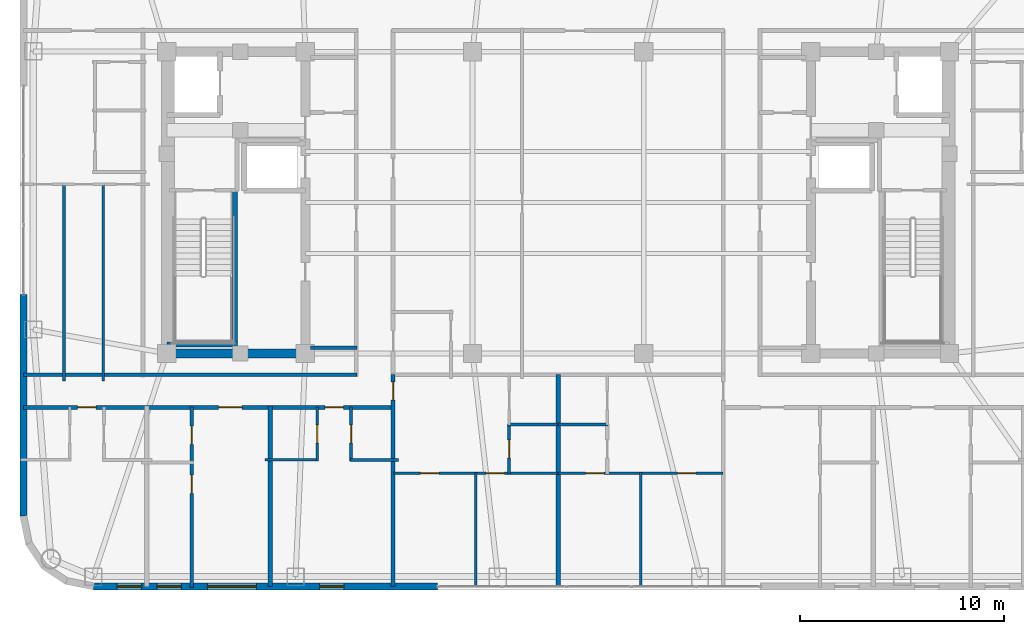
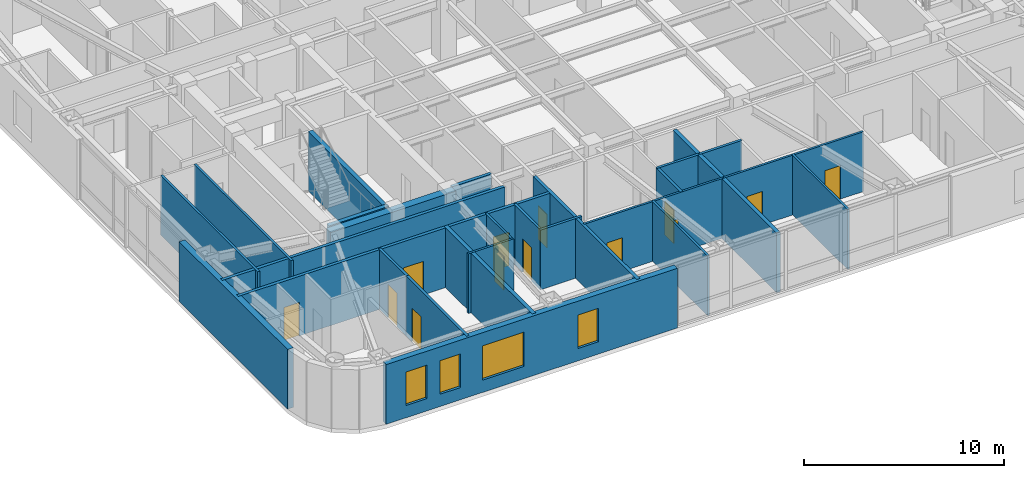
# One storey, part 21 of 29: 26 walls, 13 doors, 4 windows, 17 openings.
"""IFC4 building model written with IfcOpenShell, lengths in metres."""

from ifc_helpers import new_model, si_unit, direction, frame, frame_2d, origin, place, context, subcontext, project, spatial, rectangle, extrude, material, layer, layer_set, type_object, element, fill, save


model = new_model("IFC4")

# Units and contexts
model_context = context("Model", 3, precision=1e-05, world=origin(), true_north=direction((0.0, 1.0)))
body_context = subcontext(model_context, "Body", "Model", "MODEL_VIEW")
ifc_project = project(units=[si_unit("LENGTHUNIT", "METRE"), si_unit("AREAUNIT", "SQUARE_METRE"), si_unit("VOLUMEUNIT", "CUBIC_METRE"), si_unit("PLANEANGLEUNIT", "RADIAN"), si_unit("MASSUNIT", "GRAM", prefix="KILO")], contexts=[model_context])

# Site, building, storey
site_placement = place(None, origin())
site = spatial("IfcSite", under=ifc_project, at=site_placement, CompositionType="ELEMENT")
building_placement = place(site_placement, origin())
building = spatial("IfcBuilding", under=site, at=building_placement, Name="Voryun Gate Residences", CompositionType="ELEMENT")
storey_placement = place(building_placement, frame((0.0, 0.0, 211.89990234375)))
storey = spatial("IfcBuildingStorey", under=building, at=storey_placement, Name="L52", CompositionType="ELEMENT", Elevation=211.89990234375)

# Walls
ifc_material_1 = material(Name="Concrete C50/60", Category="concrete")
ifc_layer_1 = layer(ifc_material_1, 0.449951171875, Name="CW_CORE_450")
ifc_layer_set_1 = layer_set([ifc_layer_1], Name="Concrete C50/60")
wall_type_1 = type_object("IfcWallType", Name="CW_CORE_450", PredefinedType="SHEAR", material=ifc_layer_set_1)
wall_1_placement = place(storey_placement, frame((-19.425048828125, -7.39990234375, 0.0), z_axis=(0.0, 0.0, 1.0), x_axis=(1.0, 0.0, 0.0)))
element("IfcWall", 1, at=wall_1_placement, inside=storey, type_object=wall_type_1, Name="L52 Core shear wall CW-L52-WS", PredefinedType="SHEAR", context=body_context, shape_type="SweptSolid", body=[
    extrude(rectangle(XDim=7.25, YDim=0.449951171875, at=frame_2d((3.625, 0.0))), origin(), (0.0, 0.0, 1.0), 3.650146484375),
])
ifc_material_2 = material(Name="Gypsum acoustic fireboard")
ifc_layer_2 = layer(ifc_material_2, 0.179931640625, Name="W_CORR_RATED_180")
ifc_layer_set_2 = layer_set([ifc_layer_2], Name="Gypsum acoustic fireboard")
wall_type_2 = type_object("IfcWallType", Name="W_CORR_RATED_180", PredefinedType="PARTITIONING", material=ifc_layer_set_2)
wall_2_placement = place(storey_placement, frame((-12.14990234375, -7.1201171875, 0.0), z_axis=(0.0, 0.0, 1.0), x_axis=(1.0, 0.0, 0.0)))
element("IfcWall", 2, at=wall_2_placement, inside=storey, type_object=wall_type_2, Name="Partition wall WP-L52-PLBS-W", PredefinedType="PARTITIONING", context=body_context, shape_type="SweptSolid", body=[
    extrude(rectangle(XDim=2.27001953125, YDim=0.179931640625, at=frame_2d((1.135009765625, 0.0))), origin(), (0.0, 0.0, 1.0), 3.650146484375),
])
wall_3_placement = place(storey_placement, frame((-26.22998046875, -8.43994140625, 0.0), z_axis=(0.0, 0.0, 1.0), x_axis=(1.0, 0.0, 0.0)))
element("IfcWall", 3, at=wall_3_placement, inside=storey, type_object=wall_type_2, Name="Partition wall WP-L52-CWING-WS", PredefinedType="PARTITIONING", context=body_context, shape_type="SweptSolid", body=[
    extrude(rectangle(XDim=16.35009765625, YDim=0.179931640625, at=frame_2d((8.175048828125, 0.0))), origin(), (0.0, 0.0, 1.0), 3.650146484375),
])

# Wall, openings, doors
wall_4_placement = place(storey_placement, frame((-26.22998046875, -10.050048828125, 0.0), z_axis=(0.0, 0.0, 1.0), x_axis=(1.0, 0.0, 0.0)))
wall_4 = element("IfcWall", 4, at=wall_4_placement, inside=storey, type_object=wall_type_2, Name="Partition wall WP-L52-SCORR-W", PredefinedType="PARTITIONING", context=body_context, shape_type="SweptSolid", body=[
    extrude(rectangle(XDim=18.14990234375, YDim=0.179931640625, at=frame_2d((9.074951171875, 0.0))), origin(), (0.0, 0.0, 1.0), 3.650146484375),
])
opening_1_placement = place(wall_4_placement, frame((2.6591796875, 0.0, 0.0)))
opening_1 = element("IfcOpeningElement", 5, at=opening_1_placement, cuts=wall_4, Name="Opening D-INT-2", PredefinedType="OPENING", context=body_context, shape_type="SweptSolid", body=[
    extrude(rectangle(XDim=0.89990234375, YDim=2.050048828125, at=frame_2d((0.449951171875, 1.02490234375))), frame((0.0, 0.099853515625, 0.0), z_axis=(0.0, -1.0, 0.0), x_axis=(1.0, 0.0, 0.0)), (0.0, 0.0, 1.0), 0.199951171875),
])
opening_2_placement = place(wall_4_placement, frame((9.57080078125, 0.0, 0.0)))
opening_2 = element("IfcOpeningElement", 6, at=opening_2_placement, cuts=wall_4, Name="Opening D-UNIT-1", PredefinedType="OPENING", context=body_context, shape_type="SweptSolid", body=[
    extrude(rectangle(XDim=1.14990234375, YDim=2.050048828125, at=frame_2d((0.574951171875, 1.02490234375))), frame((0.0, 0.099853515625, 0.0), z_axis=(0.0, -1.0, 0.0), x_axis=(1.0, 0.0, 0.0)), (0.0, 0.0, 1.0), 0.199951171875),
])
opening_3_placement = place(wall_4_placement, frame((14.79248046875, 0.0, 0.0)))
opening_3 = element("IfcOpeningElement", 7, at=opening_3_placement, cuts=wall_4, Name="Opening D-INT-2", PredefinedType="OPENING", context=body_context, shape_type="SweptSolid", body=[
    extrude(rectangle(XDim=0.89990234375, YDim=2.050048828125, at=frame_2d((0.449951171875, 1.02490234375))), frame((0.0, 0.099853515625, 0.0), z_axis=(0.0, -1.0, 0.0), x_axis=(1.0, 0.0, 0.0)), (0.0, 0.0, 1.0), 0.199951171875),
])
ifc_material_3 = material(Name="Architectural oak veneer")
door_type_1 = type_object("IfcDoorType", Name="DR_INT_BATH_900", OperationType="NOTDEFINED", PredefinedType="DOOR", material=ifc_material_3)
door_1_placement = place(opening_1_placement, origin())
door_1 = element("IfcDoor", 8, at=door_1_placement, inside=storey, type_object=door_type_1, Name="Door DR-L52-SENT-1", OperationType="SINGLE_SWING_RIGHT", OverallHeight=2.050048828125, OverallWidth=0.89990234375, PredefinedType="DOOR", context=body_context, shape_type="SweptSolid", body=[
    extrude(rectangle(XDim=0.89990234375, YDim=2.050048828125, at=frame_2d((0.449951171875, 1.02490234375))), frame((0.0, 0.02490234375, 0.0), z_axis=(0.0, -1.0, 0.0), x_axis=(1.0, 0.0, 0.0)), (0.0, 0.0, 1.0), 0.050048828125),
])
fill(opening_1, door_1)
door_2_placement = place(opening_3_placement, origin())
door_2 = element("IfcDoor", 9, at=door_2_placement, inside=storey, type_object=door_type_1, Name="Door DR-L52-SENT-3", OperationType="SINGLE_SWING_RIGHT", OverallHeight=2.050048828125, OverallWidth=0.89990234375, PredefinedType="DOOR", context=body_context, shape_type="SweptSolid", body=[
    extrude(rectangle(XDim=0.89990234375, YDim=2.050048828125, at=frame_2d((0.449951171875, 1.02490234375))), frame((0.0, 0.02490234375, 0.0), z_axis=(0.0, -1.0, 0.0), x_axis=(1.0, 0.0, 0.0)), (0.0, 0.0, 1.0), 0.050048828125),
])
fill(opening_3, door_2)
ifc_material_4 = material(Name="Armoured timber-clad fire door", Category="wood")
door_type_2 = type_object("IfcDoorType", Name="DR_UNIT_ENTRY_1150", OperationType="NOTDEFINED", PredefinedType="DOOR", material=ifc_material_4)
door_3_placement = place(opening_2_placement, origin())
door_3 = element("IfcDoor", 10, at=door_3_placement, inside=storey, type_object=door_type_2, Name="Door DR-L52-SENT-2", OperationType="SINGLE_SWING_LEFT", OverallHeight=2.050048828125, OverallWidth=1.14990234375, PredefinedType="DOOR", context=body_context, shape_type="SweptSolid", body=[
    extrude(rectangle(XDim=1.14990234375, YDim=2.050048828125, at=frame_2d((0.574951171875, 1.02490234375))), frame((0.0, 0.02490234375, 0.0), z_axis=(0.0, -1.0, 0.0), x_axis=(1.0, 0.0, 0.0)), (0.0, 0.0, 1.0), 0.050048828125),
])
fill(opening_2, door_3)

# Wall, opening, door
wall_5_placement = place(storey_placement, frame((-8.10009765625, -18.830078125, 0.0), z_axis=(0.0, 0.0, 1.0), x_axis=(0.0, 1.0, 0.0)))
wall_5 = element("IfcWall", 11, at=wall_5_placement, inside=storey, type_object=wall_type_2, Name="Partition wall WP-L52-SZV-1", PredefinedType="PARTITIONING", context=body_context, shape_type="SweptSolid", body=[
    extrude(rectangle(XDim=10.39013671875, YDim=0.179931640625, at=frame_2d((5.195068359375, 0.0))), origin(), (0.0, 0.0, 1.0), 3.650146484375),
])
opening_4_placement = place(wall_5_placement, frame((9.139892578125, 0.0, 0.0)))
opening_4 = element("IfcOpeningElement", 12, at=opening_4_placement, cuts=wall_5, Name="Opening D-INT-2", PredefinedType="OPENING", context=body_context, shape_type="SweptSolid", body=[
    extrude(rectangle(XDim=0.89990234375, YDim=2.050048828125, at=frame_2d((0.449951171875, 1.02490234375))), frame((0.0, 0.099853515625, 0.0), z_axis=(0.0, -1.0, 0.0), x_axis=(1.0, 0.0, 0.0)), (0.0, 0.0, 1.0), 0.199951171875),
])
door_4_placement = place(opening_4_placement, origin())
door_4 = element("IfcDoor", 13, at=door_4_placement, inside=storey, type_object=door_type_1, Name="Door DR-L52-SZENT-1", OperationType="SINGLE_SWING_LEFT", OverallHeight=2.050048828125, OverallWidth=0.89990234375, PredefinedType="DOOR", context=body_context, shape_type="SweptSolid", body=[
    extrude(rectangle(XDim=0.89990234375, YDim=2.050048828125, at=frame_2d((0.449951171875, 1.02490234375))), frame((0.0, 0.02490234375, 0.0), z_axis=(0.0, -1.0, 0.0), x_axis=(1.0, 0.0, 0.0)), (0.0, 0.0, 1.0), 0.050048828125),
])
fill(opening_4, door_4)

# Wall, openings, windows
ifc_material_5 = material(Name="Charcoal terracotta masonry", Category="masonry")
ifc_layer_3 = layer(ifc_material_5, 0.340087890625, Name="W_EXT_TERRACOTTA_340")
ifc_layer_set_3 = layer_set([ifc_layer_3], Name="Charcoal terracotta masonry")
wall_type_3 = type_object("IfcWallType", Name="W_EXT_TERRACOTTA_340", PredefinedType="ELEMENTEDWALL", material=ifc_layer_set_3)
wall_6_placement = place(storey_placement, frame((-5.9306640625, -18.830078125, 0.0), z_axis=(0.0, 0.0, 1.0), x_axis=(-1.0, 0.0, 0.0)))
wall_6 = element("IfcWall", 14, at=wall_6_placement, inside=storey, type_object=wall_type_3, Name="Exterior wall WEXT-L52-01B", PredefinedType="ELEMENTEDWALL", context=body_context, shape_type="SweptSolid", body=[
    extrude(rectangle(XDim=16.8525390625, YDim=0.340087890625, at=frame_2d((8.42626953125, 0.0))), origin(), (0.0, 0.0, 1.0), 3.650146484375),
])
opening_5_placement = place(wall_6_placement, frame((8.876220703125, 0.0, 0.75)))
opening_5 = element("IfcOpeningElement", 15, at=opening_5_placement, cuts=wall_6, Name="Opening WN2", PredefinedType="OPENING", context=body_context, shape_type="SweptSolid", body=[
    extrude(rectangle(XDim=2.39990234375, YDim=2.10009765625, at=frame_2d((1.199951171875, 1.050048828125))), frame((0.0, 0.179931640625, 0.0), z_axis=(0.0, -1.0, 0.0), x_axis=(1.0, 0.0, 0.0)), (0.0, 0.0, 1.0), 0.360107421875),
])
opening_6_placement = place(wall_6_placement, frame((14.508544921875, 0.0, 0.75)))
opening_6 = element("IfcOpeningElement", 16, at=opening_6_placement, cuts=wall_6, Name="Opening WN6", PredefinedType="OPENING", context=body_context, shape_type="SweptSolid", body=[
    extrude(rectangle(XDim=1.199951171875, YDim=2.050048828125, at=frame_2d((0.60009765625, 1.02490234375))), frame((0.0, 0.179931640625, 0.0), z_axis=(0.0, -1.0, 0.0), x_axis=(1.0, 0.0, 0.0)), (0.0, 0.0, 1.0), 0.360107421875),
])
opening_7_placement = place(wall_6_placement, frame((12.54931640625, 0.0, 0.75)))
opening_7 = element("IfcOpeningElement", 17, at=opening_7_placement, cuts=wall_6, Name="Opening WN6", PredefinedType="OPENING", context=body_context, shape_type="SweptSolid", body=[
    extrude(rectangle(XDim=1.199951171875, YDim=2.050048828125, at=frame_2d((0.60009765625, 1.02490234375))), frame((0.0, 0.179931640625, 0.0), z_axis=(0.0, -1.0, 0.0), x_axis=(1.0, 0.0, 0.0)), (0.0, 0.0, 1.0), 0.360107421875),
])
opening_8_placement = place(wall_6_placement, frame((4.5751953125, 0.0, 0.75)))
opening_8 = element("IfcOpeningElement", 18, at=opening_8_placement, cuts=wall_6, Name="Opening WN6", PredefinedType="OPENING", context=body_context, shape_type="SweptSolid", body=[
    extrude(rectangle(XDim=1.199951171875, YDim=2.050048828125, at=frame_2d((0.60009765625, 1.02490234375))), frame((0.0, 0.179931640625, 0.0), z_axis=(0.0, -1.0, 0.0), x_axis=(1.0, 0.0, 0.0)), (0.0, 0.0, 1.0), 0.360107421875),
])
ifc_material_6 = material(Name="Laminated low-E glass", Category="glass")
window_type_1 = type_object("IfcWindowType", Name="WN_POD_SLOT_1200", PartitioningType="SINGLE_PANEL", PredefinedType="WINDOW", material=ifc_material_6)
window_1_placement = place(opening_6_placement, origin())
window_1 = element("IfcWindow", 19, at=window_1_placement, inside=storey, type_object=window_type_1, Name="Window WN-L52-DWFIX-08", OverallHeight=2.050048828125, OverallWidth=1.199951171875, PartitioningType="SINGLE_PANEL", PredefinedType="WINDOW", context=body_context, shape_type="SweptSolid", body=[
    extrude(rectangle(XDim=1.199951171875, YDim=2.050048828125, at=frame_2d((0.60009765625, 1.02490234375))), frame((0.0, 0.030029296875, 0.0), z_axis=(0.0, -1.0, 0.0), x_axis=(1.0, 0.0, 0.0)), (0.0, 0.0, 1.0), 0.06005859375),
])
fill(opening_6, window_1)
window_2_placement = place(opening_7_placement, origin())
window_2 = element("IfcWindow", 20, at=window_2_placement, inside=storey, type_object=window_type_1, Name="Window WN-L52-DWFIX-09", OverallHeight=2.050048828125, OverallWidth=1.199951171875, PartitioningType="SINGLE_PANEL", PredefinedType="WINDOW", context=body_context, shape_type="SweptSolid", body=[
    extrude(rectangle(XDim=1.199951171875, YDim=2.050048828125, at=frame_2d((0.60009765625, 1.02490234375))), frame((0.0, 0.030029296875, 0.0), z_axis=(0.0, -1.0, 0.0), x_axis=(1.0, 0.0, 0.0)), (0.0, 0.0, 1.0), 0.06005859375),
])
fill(opening_7, window_2)
window_3_placement = place(opening_8_placement, origin())
window_3 = element("IfcWindow", 21, at=window_3_placement, inside=storey, type_object=window_type_1, Name="Window WN-L52-DWFIX-10", OverallHeight=2.050048828125, OverallWidth=1.199951171875, PartitioningType="SINGLE_PANEL", PredefinedType="WINDOW", context=body_context, shape_type="SweptSolid", body=[
    extrude(rectangle(XDim=1.199951171875, YDim=2.050048828125, at=frame_2d((0.60009765625, 1.02490234375))), frame((0.0, 0.030029296875, 0.0), z_axis=(0.0, -1.0, 0.0), x_axis=(1.0, 0.0, 0.0)), (0.0, 0.0, 1.0), 0.06005859375),
])
fill(opening_8, window_3)
ifc_material_7 = material(Name="Laminated low-E glass", Category="glass")
window_type_2 = type_object("IfcWindowType", Name="WN_RES_WIDE_2400", PartitioningType="SINGLE_PANEL", PredefinedType="WINDOW", material=ifc_material_7)
window_4_placement = place(opening_5_placement, origin())
window_4 = element("IfcWindow", 22, at=window_4_placement, inside=storey, type_object=window_type_2, Name="Window WN-WEXT-L52-01B-01", OverallHeight=2.10009765625, OverallWidth=2.39990234375, PartitioningType="SINGLE_PANEL", PredefinedType="WINDOW", context=body_context, shape_type="SweptSolid", body=[
    extrude(rectangle(XDim=2.39990234375, YDim=2.10009765625, at=frame_2d((1.199951171875, 1.050048828125))), frame((0.0, 0.030029296875, 0.0), z_axis=(0.0, -1.0, 0.0), x_axis=(1.0, 0.0, 0.0)), (0.0, 0.0, 1.0), 0.06005859375),
])
fill(opening_5, window_4)

# Walls
wall_7_placement = place(storey_placement, frame((-26.22998046875, -15.38330078125, 0.0), z_axis=(0.0, 0.0, 1.0), x_axis=(0.0, 1.0, 0.0)))
element("IfcWall", 23, at=wall_7_placement, inside=storey, type_object=wall_type_3, Name="Exterior wall WEXT-L52-06A", PredefinedType="ELEMENTEDWALL", context=body_context, shape_type="SweptSolid", body=[
    extrude(rectangle(XDim=10.86865234375, YDim=0.340087890625, at=frame_2d((5.434326171875, 0.0))), origin(), (0.0, 0.0, 1.0), 3.650146484375),
])
ifc_material_8 = material(Name="Concrete C40/50", Category="concrete")
ifc_layer_4 = layer(ifc_material_8, 0.219970703125, Name="W_PARTY_ACOUSTIC_220")
ifc_layer_set_4 = layer_set([ifc_layer_4], Name="Concrete C40/50")
wall_type_4 = type_object("IfcWallType", Name="W_PARTY_ACOUSTIC_220", PredefinedType="PARTITIONING", material=ifc_layer_set_4)
wall_8_placement = place(storey_placement, frame((-14.132080078125, -18.830078125, 0.0), z_axis=(0.0, 0.0, 1.0), x_axis=(0.0, 1.0, 0.0)))
element("IfcWall", 24, at=wall_8_placement, inside=storey, type_object=wall_type_4, Name="Partition wall WP-L52-SPTY-2", PredefinedType="PARTITIONING", context=body_context, shape_type="SweptSolid", body=[
    extrude(rectangle(XDim=8.860107421875, YDim=0.219970703125, at=frame_2d((4.43017578125, 0.0))), origin(), (0.0, 0.0, 1.0), 3.650146484375),
])
wall_9_placement = place(storey_placement, frame((0.0, -18.830078125, 0.0), z_axis=(0.0, 0.0, 1.0), x_axis=(0.0, 1.0, 0.0)))
element("IfcWall", 25, at=wall_9_placement, inside=storey, type_object=wall_type_4, Name="Partition wall WP-L52-SZMID", PredefinedType="PARTITIONING", context=body_context, shape_type="SweptSolid", body=[
    extrude(rectangle(XDim=10.39013671875, YDim=0.219970703125, at=frame_2d((5.195068359375, 0.0))), origin(), (0.0, 0.0, 1.0), 3.650146484375),
])
ifc_material_9 = material(Name="Concrete C50/60", Category="concrete")
ifc_layer_5 = layer(ifc_material_9, 0.25, Name="W_SHAFT_RC250")
ifc_layer_set_5 = layer_set([ifc_layer_5], Name="Concrete C50/60")
wall_type_5 = type_object("IfcWallType", Name="W_SHAFT_RC250", PredefinedType="SOLIDWALL", material=ifc_layer_set_5)
wall_10_placement = place(storey_placement, frame((-15.860107421875, -7.0849609375, 0.0), z_axis=(0.0, 0.0, 1.0), x_axis=(0.0, 1.0, 0.0)))
element("IfcWall", 26, at=wall_10_placement, inside=storey, type_object=wall_type_5, Name="L52 Stair shaft structural wall W-STR", PredefinedType="SOLIDWALL", context=body_context, shape_type="SweptSolid", body=[
    extrude(rectangle(XDim=7.68505859375, YDim=0.25, at=frame_2d((3.842529296875, 0.0))), origin(), (0.0, 0.0, 1.0), 3.650146484375),
])
wall_11_placement = place(storey_placement, frame((-19.199951171875, -6.965087890625, 0.0), z_axis=(0.0, 0.0, 1.0), x_axis=(1.0, 0.0, 0.0)))
element("IfcWall", 27, at=wall_11_placement, inside=storey, type_object=wall_type_5, Name="L52 Stair shaft structural wall W-STS", PredefinedType="SOLIDWALL", context=body_context, shape_type="SweptSolid", body=[
    extrude(rectangle(XDim=3.4599609375, YDim=0.25, at=frame_2d((1.72998046875, 0.0))), origin(), (0.0, 0.0, 1.0), 3.650146484375),
])

# Wall, opening, door
ifc_material_10 = material(Name="Gypsum acoustic partition")
ifc_layer_6 = layer(ifc_material_10, 0.125, Name="W_UNIT_PART_125")
ifc_layer_set_6 = layer_set([ifc_layer_6], Name="Gypsum acoustic partition")
wall_type_6 = type_object("IfcWallType", Name="W_UNIT_PART_125", PredefinedType="PARTITIONING", material=ifc_layer_set_6)
wall_12_placement = place(storey_placement, frame((-11.818115234375, -12.679931640625, 0.0), z_axis=(0.0, 0.0, 1.0), x_axis=(0.0, 1.0, 0.0)))
wall_12 = element("IfcWall", 28, at=wall_12_placement, inside=storey, type_object=wall_type_6, Name="Partition wall WP-L52-S3-CVK", PredefinedType="PARTITIONING", context=body_context, shape_type="SweptSolid", body=[
    extrude(rectangle(XDim=2.64990234375, YDim=0.125, at=frame_2d((1.324951171875, 0.0))), origin(), (0.0, 0.0, 1.0), 3.650146484375),
])
opening_9_placement = place(wall_12_placement, frame((0.875, 0.0, 0.0)))
opening_9 = element("IfcOpeningElement", 29, at=opening_9_placement, cuts=wall_12, Name="Opening D-INT-2", PredefinedType="OPENING", context=body_context, shape_type="SweptSolid", body=[
    extrude(rectangle(XDim=0.89990234375, YDim=2.050048828125, at=frame_2d((0.449951171875, 1.02490234375))), frame((0.0, 0.072509765625, 0.0), z_axis=(0.0, -1.0, 0.0), x_axis=(1.0, 0.0, 0.0)), (0.0, 0.0, 1.0), 0.14501953125),
])
door_5_placement = place(opening_9_placement, origin())
door_5 = element("IfcDoor", 30, at=door_5_placement, inside=storey, type_object=door_type_1, Name="Door DR-L52-S3-DK", OperationType="SINGLE_SWING_LEFT", OverallHeight=2.050048828125, OverallWidth=0.89990234375, PredefinedType="DOOR", context=body_context, shape_type="SweptSolid", body=[
    extrude(rectangle(XDim=0.89990234375, YDim=2.050048828125, at=frame_2d((0.449951171875, 1.02490234375))), frame((0.0, 0.02490234375, 0.0), z_axis=(0.0, -1.0, 0.0), x_axis=(1.0, 0.0, 0.0)), (0.0, 0.0, 1.0), 0.050048828125),
])
fill(opening_9, door_5)

# Wall
wall_13_placement = place(storey_placement, frame((-14.39208984375, -12.6201171875, 0.0), z_axis=(0.0, 0.0, 1.0), x_axis=(1.0, 0.0, 0.0)))
element("IfcWall", 31, at=wall_13_placement, inside=storey, type_object=wall_type_6, Name="Partition wall WP-L52-S3-CHK", PredefinedType="PARTITIONING", context=body_context, shape_type="SweptSolid", body=[
    extrude(rectangle(XDim=2.634033203125, YDim=0.125, at=frame_2d((1.31689453125, 0.0))), origin(), (0.0, 0.0, 1.0), 3.650146484375),
])

# Wall, openings, doors
wall_14_placement = place(storey_placement, frame((-8.080078125, -13.280029296875, 0.0), z_axis=(0.0, 0.0, 1.0), x_axis=(1.0, 0.0, 0.0)))
wall_14 = element("IfcWall", 32, at=wall_14_placement, inside=storey, type_object=wall_type_6, Name="Partition wall WP-L52-SC1-HZ", PredefinedType="PARTITIONING", context=body_context, shape_type="SweptSolid", body=[
    extrude(rectangle(XDim=8.06005859375, YDim=0.125, at=frame_2d((4.030029296875, 0.0))), origin(), (0.0, 0.0, 1.0), 3.650146484375),
])
opening_10_placement = place(wall_14_placement, frame((1.3232421875, 0.0, 0.0)))
opening_10 = element("IfcOpeningElement", 33, at=opening_10_placement, cuts=wall_14, Name="Opening D-INT-2", PredefinedType="OPENING", context=body_context, shape_type="SweptSolid", body=[
    extrude(rectangle(XDim=0.89990234375, YDim=2.050048828125, at=frame_2d((0.449951171875, 1.02490234375))), frame((0.0, 0.072509765625, 0.0), z_axis=(0.0, -1.0, 0.0), x_axis=(1.0, 0.0, 0.0)), (0.0, 0.0, 1.0), 0.14501953125),
])
opening_11_placement = place(wall_14_placement, frame((4.547119140625, 0.0, 0.0)))
opening_11 = element("IfcOpeningElement", 34, at=opening_11_placement, cuts=wall_14, Name="Opening D-INT-2", PredefinedType="OPENING", context=body_context, shape_type="SweptSolid", body=[
    extrude(rectangle(XDim=0.89990234375, YDim=2.050048828125, at=frame_2d((0.449951171875, 1.02490234375))), frame((0.0, 0.072509765625, 0.0), z_axis=(0.0, -1.0, 0.0), x_axis=(1.0, 0.0, 0.0)), (0.0, 0.0, 1.0), 0.14501953125),
])
door_6_placement = place(opening_10_placement, origin())
door_6 = element("IfcDoor", 35, at=door_6_placement, inside=storey, type_object=door_type_1, Name="Door DR-L52-SC1-DMB", OperationType="SINGLE_SWING_LEFT", OverallHeight=2.050048828125, OverallWidth=0.89990234375, PredefinedType="DOOR", context=body_context, shape_type="SweptSolid", body=[
    extrude(rectangle(XDim=0.89990234375, YDim=2.050048828125, at=frame_2d((0.449951171875, 1.02490234375))), frame((0.0, 0.02490234375, 0.0), z_axis=(0.0, -1.0, 0.0), x_axis=(1.0, 0.0, 0.0)), (0.0, 0.0, 1.0), 0.050048828125),
])
fill(opening_10, door_6)
door_7_placement = place(opening_11_placement, origin())
door_7 = element("IfcDoor", 36, at=door_7_placement, inside=storey, type_object=door_type_1, Name="Door DR-L52-SC1-DBD2", OperationType="SINGLE_SWING_RIGHT", OverallHeight=2.050048828125, OverallWidth=0.89990234375, PredefinedType="DOOR", context=body_context, shape_type="SweptSolid", body=[
    extrude(rectangle(XDim=0.89990234375, YDim=2.050048828125, at=frame_2d((0.449951171875, 1.02490234375))), frame((0.0, 0.02490234375, 0.0), z_axis=(0.0, -1.0, 0.0), x_axis=(1.0, 0.0, 0.0)), (0.0, 0.0, 1.0), 0.050048828125),
])
fill(opening_11, door_7)

# Wall
wall_15_placement = place(storey_placement, frame((-4.050048828125, -18.830078125, 0.0), z_axis=(0.0, 0.0, 1.0), x_axis=(0.0, 1.0, 0.0)))
element("IfcWall", 37, at=wall_15_placement, inside=storey, type_object=wall_type_6, Name="Partition wall WP-L52-SC1-VBD", PredefinedType="PARTITIONING", context=body_context, shape_type="SweptSolid", body=[
    extrude(rectangle(XDim=5.590087890625, YDim=0.125, at=frame_2d((2.794921875, 0.0))), origin(), (0.0, 0.0, 1.0), 3.650146484375),
])

# Wall, openings, doors
wall_16_placement = place(storey_placement, frame((0.02001953125, -13.280029296875, 0.0), z_axis=(0.0, 0.0, 1.0), x_axis=(1.0, 0.0, 0.0)))
wall_16 = element("IfcWall", 38, at=wall_16_placement, inside=storey, type_object=wall_type_6, Name="Partition wall WP-L52-SC2-HZ", PredefinedType="PARTITIONING", context=body_context, shape_type="SweptSolid", body=[
    extrude(rectangle(XDim=8.06005859375, YDim=0.125, at=frame_2d((4.030029296875, 0.0))), origin(), (0.0, 0.0, 1.0), 3.650146484375),
])
opening_12_placement = place(wall_16_placement, frame((1.3232421875, 0.0, 0.0)))
opening_12 = element("IfcOpeningElement", 39, at=opening_12_placement, cuts=wall_16, Name="Opening D-INT-2", PredefinedType="OPENING", context=body_context, shape_type="SweptSolid", body=[
    extrude(rectangle(XDim=0.89990234375, YDim=2.050048828125, at=frame_2d((0.449951171875, 1.02490234375))), frame((0.0, 0.072509765625, 0.0), z_axis=(0.0, -1.0, 0.0), x_axis=(1.0, 0.0, 0.0)), (0.0, 0.0, 1.0), 0.14501953125),
])
opening_13_placement = place(wall_16_placement, frame((5.8369140625, 0.0, 0.0)))
opening_13 = element("IfcOpeningElement", 40, at=opening_13_placement, cuts=wall_16, Name="Opening D-INT-2", PredefinedType="OPENING", context=body_context, shape_type="SweptSolid", body=[
    extrude(rectangle(XDim=0.89990234375, YDim=2.050048828125, at=frame_2d((0.449951171875, 1.02490234375))), frame((0.0, 0.072509765625, 0.0), z_axis=(0.0, -1.0, 0.0), x_axis=(1.0, 0.0, 0.0)), (0.0, 0.0, 1.0), 0.14501953125),
])
door_8_placement = place(opening_12_placement, origin())
door_8 = element("IfcDoor", 41, at=door_8_placement, inside=storey, type_object=door_type_1, Name="Door DR-L52-SC2-DMB", OperationType="SINGLE_SWING_LEFT", OverallHeight=2.050048828125, OverallWidth=0.89990234375, PredefinedType="DOOR", context=body_context, shape_type="SweptSolid", body=[
    extrude(rectangle(XDim=0.89990234375, YDim=2.050048828125, at=frame_2d((0.449951171875, 1.02490234375))), frame((0.0, 0.02490234375, 0.0), z_axis=(0.0, -1.0, 0.0), x_axis=(1.0, 0.0, 0.0)), (0.0, 0.0, 1.0), 0.050048828125),
])
fill(opening_12, door_8)
door_9_placement = place(opening_13_placement, origin())
door_9 = element("IfcDoor", 42, at=door_9_placement, inside=storey, type_object=door_type_1, Name="Door DR-L52-SC2-DBD2", OperationType="SINGLE_SWING_RIGHT", OverallHeight=2.050048828125, OverallWidth=0.89990234375, PredefinedType="DOOR", context=body_context, shape_type="SweptSolid", body=[
    extrude(rectangle(XDim=0.89990234375, YDim=2.050048828125, at=frame_2d((0.449951171875, 1.02490234375))), frame((0.0, 0.02490234375, 0.0), z_axis=(0.0, -1.0, 0.0), x_axis=(1.0, 0.0, 0.0)), (0.0, 0.0, 1.0), 0.050048828125),
])
fill(opening_13, door_9)

# Walls
wall_17_placement = place(storey_placement, frame((4.050048828125, -18.830078125, 0.0), z_axis=(0.0, 0.0, 1.0), x_axis=(0.0, 1.0, 0.0)))
element("IfcWall", 43, at=wall_17_placement, inside=storey, type_object=wall_type_6, Name="Partition wall WP-L52-SC2-VBD", PredefinedType="PARTITIONING", context=body_context, shape_type="SweptSolid", body=[
    extrude(rectangle(XDim=5.590087890625, YDim=0.125, at=frame_2d((2.794921875, 0.0))), origin(), (0.0, 0.0, 1.0), 3.650146484375),
])
for number, where, z_axis, x_axis, name in (
    (44, (-22.305908203125, -8.760009765625, 0.0), (0.0, 0.0, 1.0), (0.0, 1.0, 0.0), "Partition wall WP-L52-W1-VMB2"),
    (45, (-24.241943359375, -8.760009765625, 0.0), (0.0, 0.0, 1.0), (0.0, 1.0, 0.0), "Partition wall WP-L52-W1-VMB"),
):
    element("IfcWall", number, at=place(storey_placement, frame(where, z_axis=z_axis, x_axis=x_axis)), inside=storey, type_object=wall_type_6, Name=name, PredefinedType="PARTITIONING", context=body_context, shape_type="SweptSolid", body=[
        extrude(rectangle(XDim=9.72998046875, YDim=0.125, at=frame_2d((4.864990234375, 0.0))), origin(), (0.0, 0.0, 1.0), 3.650146484375),
    ])

# Wall, opening, door
ifc_material_11 = material(Name="Gypsum moisture-resistant partition")
ifc_layer_7 = layer(ifc_material_11, 0.14990234375, Name="W_WET_PLUMB_150")
ifc_layer_set_7 = layer_set([ifc_layer_7], Name="Gypsum moisture-resistant partition")
wall_type_7 = type_object("IfcWallType", Name="W_WET_PLUMB_150", PredefinedType="PLUMBINGWALL", material=ifc_layer_set_7)
wall_18_placement = place(storey_placement, frame((-17.97509765625, -18.876708984375, 0.0), z_axis=(0.0, 0.0, 1.0), x_axis=(0.0, 1.0, 0.0)))
wall_18 = element("IfcWall", 46, at=wall_18_placement, inside=storey, type_object=wall_type_7, Name="Partition wall WP-L52-S2-SVT1", PredefinedType="PLUMBINGWALL", context=body_context, shape_type="SweptSolid", body=[
    extrude(rectangle(XDim=6.166748046875, YDim=0.14990234375, at=frame_2d((3.08349609375, 0.0))), origin(), (0.0, 0.0, 1.0), 3.650146484375),
])
opening_14_placement = place(wall_18_placement, frame((4.606689453125, 0.0, 0.0)))
opening_14 = element("IfcOpeningElement", 47, at=opening_14_placement, cuts=wall_18, Name="Opening D-INT-2", PredefinedType="OPENING", context=body_context, shape_type="SweptSolid", body=[
    extrude(rectangle(XDim=0.89990234375, YDim=2.050048828125, at=frame_2d((0.449951171875, 1.02490234375))), frame((0.0, 0.0849609375, 0.0), z_axis=(0.0, -1.0, 0.0), x_axis=(1.0, 0.0, 0.0)), (0.0, 0.0, 1.0), 0.169921875),
])
door_10_placement = place(opening_14_placement, origin())
door_10 = element("IfcDoor", 48, at=door_10_placement, inside=storey, type_object=door_type_1, Name="Door DR-L52-S2-DK", OperationType="SINGLE_SWING_LEFT", OverallHeight=2.050048828125, OverallWidth=0.89990234375, PredefinedType="DOOR", context=body_context, shape_type="SweptSolid", body=[
    extrude(rectangle(XDim=0.89990234375, YDim=2.050048828125, at=frame_2d((0.449951171875, 1.02490234375))), frame((0.0, 0.02490234375, 0.0), z_axis=(0.0, -1.0, 0.0), x_axis=(1.0, 0.0, 0.0)), (0.0, 0.0, 1.0), 0.050048828125),
])
fill(opening_14, door_10)

wall_19_placement = place(storey_placement, frame((-17.97509765625, -12.7900390625, 0.0), z_axis=(0.0, 0.0, 1.0), x_axis=(0.0, 1.0, 0.0)))
wall_19 = element("IfcWall", 49, at=wall_19_placement, inside=storey, type_object=wall_type_7, Name="Partition wall WP-L52-S2-SVT2", PredefinedType="PLUMBINGWALL", context=body_context, shape_type="SweptSolid", body=[
    extrude(rectangle(XDim=2.760009765625, YDim=0.14990234375, at=frame_2d((1.3798828125, 0.0))), origin(), (0.0, 0.0, 1.0), 3.650146484375),
])
opening_15_placement = place(wall_19_placement, frame((0.929931640625, 0.0, 0.0)))
opening_15 = element("IfcOpeningElement", 50, at=opening_15_placement, cuts=wall_19, Name="Opening D-INT-2", PredefinedType="OPENING", context=body_context, shape_type="SweptSolid", body=[
    extrude(rectangle(XDim=0.89990234375, YDim=2.050048828125, at=frame_2d((0.449951171875, 1.02490234375))), frame((0.0, 0.0849609375, 0.0), z_axis=(0.0, -1.0, 0.0), x_axis=(1.0, 0.0, 0.0)), (0.0, 0.0, 1.0), 0.169921875),
])
door_11_placement = place(opening_15_placement, origin())
door_11 = element("IfcDoor", 51, at=door_11_placement, inside=storey, type_object=door_type_1, Name="Door DR-L52-S2-DB", OperationType="SINGLE_SWING_RIGHT", OverallHeight=2.050048828125, OverallWidth=0.89990234375, PredefinedType="DOOR", context=body_context, shape_type="SweptSolid", body=[
    extrude(rectangle(XDim=0.89990234375, YDim=2.050048828125, at=frame_2d((0.449951171875, 1.02490234375))), frame((0.0, 0.02490234375, 0.0), z_axis=(0.0, -1.0, 0.0), x_axis=(1.0, 0.0, 0.0)), (0.0, 0.0, 1.0), 0.050048828125),
])
fill(opening_15, door_11)

wall_20_placement = place(storey_placement, frame((-10.156982421875, -12.679931640625, 0.0), z_axis=(0.0, 0.0, 1.0), x_axis=(0.0, 1.0, 0.0)))
wall_20 = element("IfcWall", 52, at=wall_20_placement, inside=storey, type_object=wall_type_7, Name="Partition wall WP-L52-S3-CVB", PredefinedType="PLUMBINGWALL", context=body_context, shape_type="SweptSolid", body=[
    extrude(rectangle(XDim=2.64990234375, YDim=0.14990234375, at=frame_2d((1.324951171875, 0.0))), origin(), (0.0, 0.0, 1.0), 3.650146484375),
])
opening_16_placement = place(wall_20_placement, frame((0.875, 0.0, 0.0)))
opening_16 = element("IfcOpeningElement", 53, at=opening_16_placement, cuts=wall_20, Name="Opening D-INT-2", PredefinedType="OPENING", context=body_context, shape_type="SweptSolid", body=[
    extrude(rectangle(XDim=0.89990234375, YDim=2.050048828125, at=frame_2d((0.449951171875, 1.02490234375))), frame((0.0, 0.0849609375, 0.0), z_axis=(0.0, -1.0, 0.0), x_axis=(1.0, 0.0, 0.0)), (0.0, 0.0, 1.0), 0.169921875),
])
door_12_placement = place(opening_16_placement, origin())
door_12 = element("IfcDoor", 54, at=door_12_placement, inside=storey, type_object=door_type_1, Name="Door DR-L52-S3-DB", OperationType="SINGLE_SWING_RIGHT", OverallHeight=2.050048828125, OverallWidth=0.89990234375, PredefinedType="DOOR", context=body_context, shape_type="SweptSolid", body=[
    extrude(rectangle(XDim=0.89990234375, YDim=2.050048828125, at=frame_2d((0.449951171875, 1.02490234375))), frame((0.0, 0.02490234375, 0.0), z_axis=(0.0, -1.0, 0.0), x_axis=(1.0, 0.0, 0.0)), (0.0, 0.0, 1.0), 0.050048828125),
])
fill(opening_16, door_12)

# Wall
wall_21_placement = place(storey_placement, frame((-10.217041015625, -12.6201171875, 0.0), z_axis=(0.0, 0.0, 1.0), x_axis=(1.0, 0.0, 0.0)))
element("IfcWall", 55, at=wall_21_placement, inside=storey, type_object=wall_type_7, Name="Partition wall WP-L52-S3-CHB", PredefinedType="PLUMBINGWALL", context=body_context, shape_type="SweptSolid", body=[
    extrude(rectangle(XDim=2.39697265625, YDim=0.14990234375, at=frame_2d((1.198486328125, 0.0))), origin(), (0.0, 0.0, 1.0), 3.650146484375),
])

# Wall, opening, door
wall_22_placement = place(storey_placement, frame((-2.409912109375, -13.320068359375, 0.0), z_axis=(0.0, 0.0, 1.0), x_axis=(0.0, 1.0, 0.0)))
wall_22 = element("IfcWall", 56, at=wall_22_placement, inside=storey, type_object=wall_type_7, Name="Partition wall WP-L52-SC1-VK2", PredefinedType="PLUMBINGWALL", context=body_context, shape_type="SweptSolid", body=[
    extrude(rectangle(XDim=2.469970703125, YDim=0.14990234375, at=frame_2d((1.23486328125, 0.0))), origin(), (0.0, 0.0, 1.0), 3.650146484375),
])
opening_17_placement = place(wall_22_placement, frame((0.784912109375, 0.0, 0.0)))
opening_17 = element("IfcOpeningElement", 57, at=opening_17_placement, cuts=wall_22, Name="Opening D-INT-2", PredefinedType="OPENING", context=body_context, shape_type="SweptSolid", body=[
    extrude(rectangle(XDim=0.89990234375, YDim=2.050048828125, at=frame_2d((0.449951171875, 1.02490234375))), frame((0.0, 0.0849609375, 0.0), z_axis=(0.0, -1.0, 0.0), x_axis=(1.0, 0.0, 0.0)), (0.0, 0.0, 1.0), 0.169921875),
])
door_13_placement = place(opening_17_placement, origin())
door_13 = element("IfcDoor", 58, at=door_13_placement, inside=storey, type_object=door_type_1, Name="Door DR-L52-SC1-DB", OperationType="SINGLE_SWING_RIGHT", OverallHeight=2.050048828125, OverallWidth=0.89990234375, PredefinedType="DOOR", context=body_context, shape_type="SweptSolid", body=[
    extrude(rectangle(XDim=0.89990234375, YDim=2.050048828125, at=frame_2d((0.449951171875, 1.02490234375))), frame((0.0, 0.02490234375, 0.0), z_axis=(0.0, -1.0, 0.0), x_axis=(1.0, 0.0, 0.0)), (0.0, 0.0, 1.0), 0.050048828125),
])
fill(opening_17, door_13)

# Walls
for number, where, z_axis, x_axis, name in (
    (59, (-2.449951171875, -10.8798828125, 0.0), (0.0, 0.0, 1.0), (1.0, 0.0, 0.0), "Partition wall WP-L52-SC1-HKB"),
    (60, (0.02001953125, -10.8798828125, 0.0), (0.0, 0.0, 1.0), (1.0, 0.0, 0.0), "Partition wall WP-L52-SC2-HKB"),
):
    element("IfcWall", number, at=place(storey_placement, frame(where, z_axis=z_axis, x_axis=x_axis)), inside=storey, type_object=wall_type_7, Name=name, PredefinedType="PLUMBINGWALL", context=body_context, shape_type="SweptSolid", body=[
        extrude(rectangle(XDim=2.429931640625, YDim=0.14990234375, at=frame_2d((1.21484375, 0.0))), origin(), (0.0, 0.0, 1.0), 3.650146484375),
    ])

save(model, "model.ifc")
